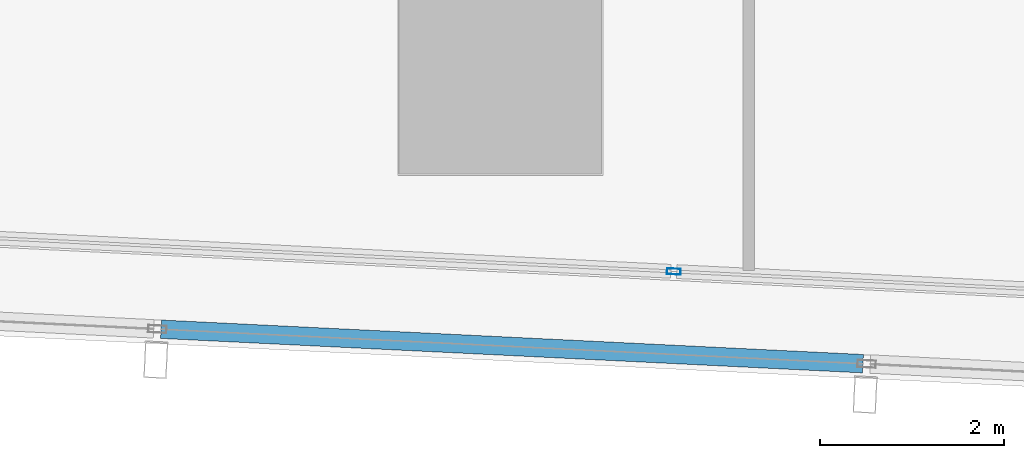
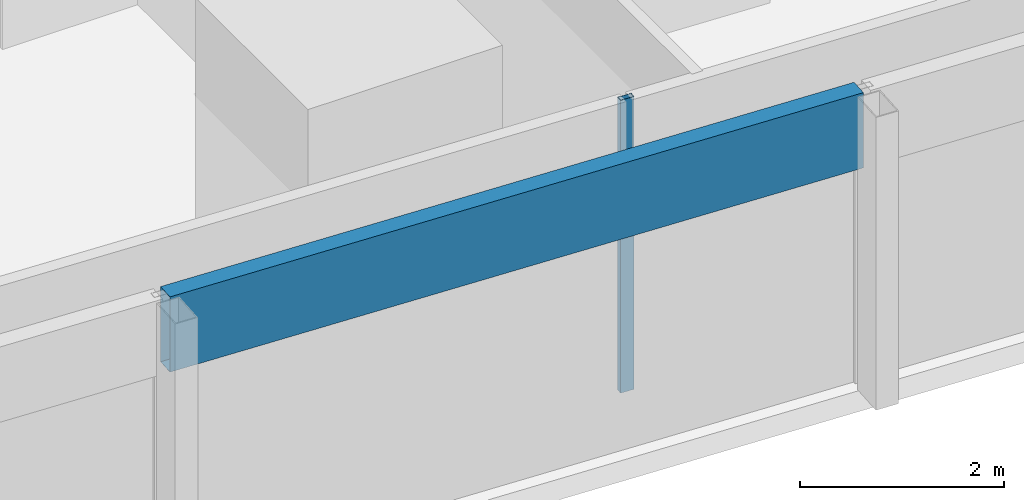
# One storey, part 6 of 44: 2 members, 2 elements without a shape of their own.
"""IFC4 building model written with IfcOpenShell, lengths in metres."""

from ifc_helpers import new_model, si_unit, direction, frame, origin, origin_2d, place, context, subcontext, project, spatial, hollow_rectangle, extrude, material, material_profile, profile_set, type_object, element, aggregate, save


model = new_model("IFC4")

# Units and contexts
model_context = context("Model", 3, precision=1e-05, world=origin(), true_north=direction((0.0, 1.0)))
body_context = subcontext(model_context, "Body", "Model", "MODEL_VIEW")
ifc_project = project(units=[si_unit("LENGTHUNIT", "METRE"), si_unit("AREAUNIT", "SQUARE_METRE"), si_unit("VOLUMEUNIT", "CUBIC_METRE"), si_unit("PLANEANGLEUNIT", "RADIAN"), si_unit("MASSUNIT", "GRAM", prefix="KILO")], contexts=[model_context])

# Site, building, storey
site_placement = place(None, origin())
site = spatial("IfcSite", under=ifc_project, at=site_placement, CompositionType="ELEMENT")
building_placement = place(site_placement, origin())
building = spatial("IfcBuilding", under=site, at=building_placement, Name="Rekha Terrace Tower", CompositionType="ELEMENT")
storey_placement = place(building_placement, frame((0.0, 0.0, 59.14990234375)))
storey = spatial("IfcBuildingStorey", under=building, at=storey_placement, Name="L14", CompositionType="ELEMENT", Elevation=59.14990234375)

# Curtain wall, member
ifc_material_1 = material(Name="Aluminium framing", Category="aluminium")
curtain_wall_type_1 = type_object("IfcCurtainWallType", Name="CW1 double skin inner glazing", PredefinedType="USERDEFINED", material=ifc_material_1)
curtain_wall_1_placement = place(storey_placement, origin())
curtain_wall_1 = element("IfcCurtainWall", 1, at=curtain_wall_1_placement, inside=storey, type_object=curtain_wall_type_1, Name="CW1 double skin inner glazing", ObjectType="DOUBLE SKIN INNER GLAZING", PredefinedType="USERDEFINED")
ifc_material_2 = material(Name="Aluminium mullion section", Category="aluminium")
ifc_material_profile_1 = material_profile(ifc_material_2, hollow_rectangle(XDim=0.06494140625, YDim=0.14990234375, WallThickness=0.00390625, at=origin_2d()), Name="AL RHS 65x150")
ifc_profile_set_1 = profile_set([ifc_material_profile_1], Name="Aluminium mullion section")
member_type_1 = type_object("IfcMemberType", Name="CW1 mullion RHS 65 x 150", PredefinedType="MULLION", material=ifc_profile_set_1)
member_1_placement = place(storey_placement, frame((35.48388671875, 6.24267578125, 0.0), z_axis=(0.0, 0.0, 1.0), x_axis=(0.049051717746, 0.998796239974, 0.0)))
member_1 = element("IfcMember", 2, at=member_1_placement, type_object=member_type_1, Name="CW1 mullion 3", PredefinedType="MULLION", context=body_context, shape_type="SweptSolid", body=[
    extrude(hollow_rectangle(XDim=0.06494140625, YDim=0.14990234375, WallThickness=0.00390625, at=origin_2d()), origin(), (0.0, 0.0, 1.0), 3.5),
])
aggregate(curtain_wall_1, [member_1])

curtain_wall_type_2 = type_object("IfcCurtainWallType", Name="CW2 double skin outer glazing", PredefinedType="USERDEFINED", material=ifc_material_1)
curtain_wall_2_placement = place(storey_placement, origin())
curtain_wall_2 = element("IfcCurtainWall", 3, at=curtain_wall_2_placement, inside=storey, type_object=curtain_wall_type_2, Name="CW2 double skin outer glazing", ObjectType="DOUBLE SKIN OUTER GLAZING", PredefinedType="USERDEFINED")
ifc_material_3 = material(Name="Insulated aluminium spandrel box", Category="aluminium")
ifc_material_profile_2 = material_profile(ifc_material_3, hollow_rectangle(XDim=0.199951171875, YDim=0.89990234375, WallThickness=0.0029296875, at=origin_2d()), Name="AL SPANDREL BOX 200x900")
ifc_profile_set_2 = profile_set([ifc_material_profile_2], Name="Insulated aluminium spandrel box")
member_type_2 = type_object("IfcMemberType", Name="CW2 spandrel transom 200 x 900", PredefinedType="USERDEFINED", material=ifc_profile_set_2)
member_2_placement = place(storey_placement, frame((29.91259765625, 5.615234375, 3.050048828125), z_axis=(0.998796434643, -0.049047753721, 0.0), x_axis=(0.049047753721, 0.998796434643, 0.0)))
member_2 = element("IfcMember", 4, at=member_2_placement, type_object=member_type_2, Name="CW2 spandrel transom 4", ObjectType="TRANSOM", PredefinedType="USERDEFINED", context=body_context, shape_type="SweptSolid", body=[
    extrude(hollow_rectangle(XDim=0.199951171875, YDim=0.89990234375, WallThickness=0.0029296875, at=origin_2d()), origin(), (0.0, 0.0, 1.0), 7.6357421875),
])
aggregate(curtain_wall_2, [member_2])

save(model, "model.ifc")
